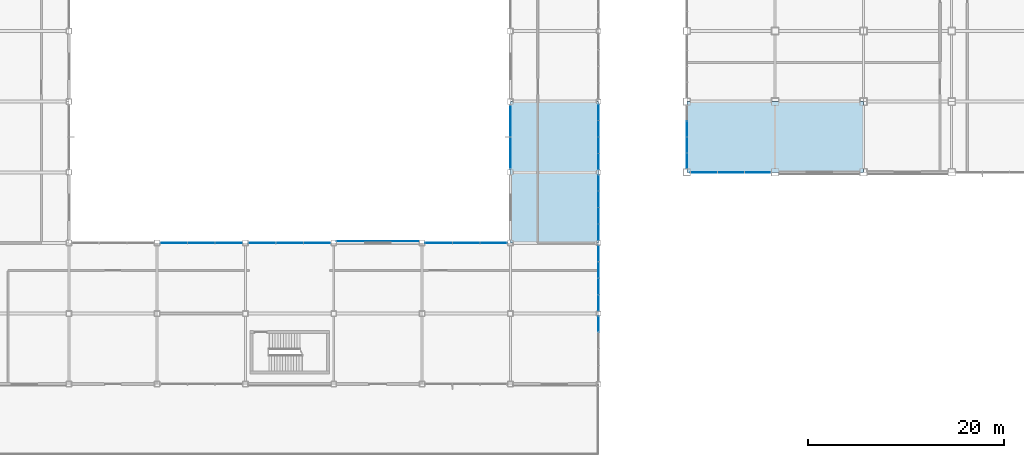
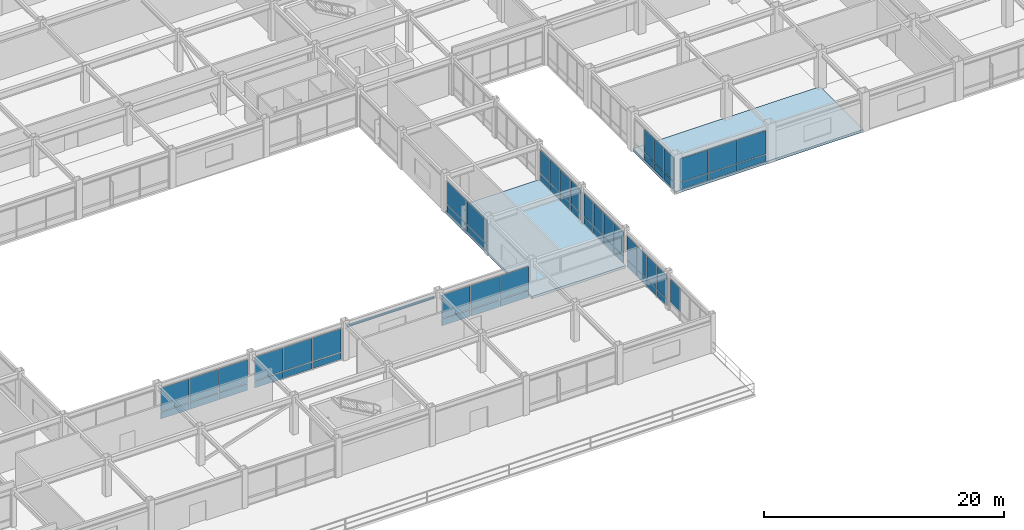
# One storey, part 92 of 122: 60 plates, 2 slabs, 10 elements without a shape of their own.
"""IFC4 building model written with IfcOpenShell, lengths in metres."""

import ifcopenshell
import ifcopenshell.guid

model = None  # the IFC model being written
_history = None  # IfcOwnerHistory: only IFC2X3 demands one
_inside = {}  # id of a spatial element -> (the spatial element, [elements in it])
_under = {}  # id of a project, library or spatial element -> (it, [spatial elements below it])
_declared = {}  # id of a project -> (the project, [libraries it declares])
_typed = {}  # id of a type object -> (the type object, [elements of that type])
_made_of = {}  # id of a material, layer set ... -> (it, [elements and type objects made of it])


def new_model(schema):
    """Start an empty IFC model of exactly this schema.

    Asked for "IFC4X3", IfcOpenShell would pick the latest addendum, in which some entities
    have other attributes; the version numbers below select the first issue.
    IFC2X3 requires an IfcOwnerHistory on every rooted entity: one is made here for all.
    """
    global model, _history
    if schema == "IFC4X3":
        model = ifcopenshell.file(schema_version=(4, 3, 0, 0))
    else:
        model = ifcopenshell.file(schema=schema)
    _inside.clear()
    _under.clear()
    _declared.clear()
    _typed.clear()
    _made_of.clear()
    _history = None
    if model.schema == "IFC2X3":
        org = make("IfcOrganization", Name="unknown")
        user = make(
            "IfcPersonAndOrganization",
            ThePerson=make("IfcPerson", FamilyName="unknown"),
            TheOrganization=org,
        )
        app = make(
            "IfcApplication",
            ApplicationDeveloper=org,
            Version="unknown",
            ApplicationFullName="unknown",
            ApplicationIdentifier="unknown",
        )
        _history = make(
            "IfcOwnerHistory",
            OwningUser=user,
            OwningApplication=app,
            ChangeAction="ADDED",
            CreationDate=0,
        )
    return model


def make(cls, **values):
    """One entity of the class cls with the attributes given. An attribute that is None is left unset."""
    return model.create_entity(
        cls, **{name: value for name, value in values.items() if value is not None}
    )


def rooted(cls, **values):
    """An entity with a GlobalId (a new one), such as an element, a storey or a relation."""
    return make(cls, GlobalId=ifcopenshell.guid.new(), OwnerHistory=_history, **values)


def si_unit(unit_type, name, prefix=None):
    """IfcSIUnit, for example si_unit("LENGTHUNIT", "METRE", prefix="MILLI")."""
    return make("IfcSIUnit", UnitType=unit_type, Prefix=prefix, Name=name)


def assignment(units):
    """IfcUnitAssignment: the units of a project."""
    return None if units is None else make("IfcUnitAssignment", Units=units)


def point(xyz):
    """IfcCartesianPoint."""
    return None if xyz is None else make("IfcCartesianPoint", Coordinates=xyz)


def direction(xyz):
    """IfcDirection."""
    return None if xyz is None else make("IfcDirection", DirectionRatios=xyz)


def frame(location, z_axis=None, x_axis=None):
    """IfcAxis2Placement3D, a coordinate frame: its origin and axes. An axis left out is left unset."""
    return make(
        "IfcAxis2Placement3D",
        Location=point(location),
        Axis=direction(z_axis),
        RefDirection=direction(x_axis),
    )


def frame_2d(location, x_axis=None):
    """IfcAxis2Placement2D, a coordinate frame in the plane: its origin and x axis."""
    return make(
        "IfcAxis2Placement2D", Location=point(location), RefDirection=direction(x_axis)
    )


def origin():
    """The frame at (0, 0, 0) with its axes left unset."""
    return frame((0.0, 0.0, 0.0))


def origin_2d():
    """The frame at (0, 0) in the plane with its x axis left unset."""
    return frame_2d((0.0, 0.0))


def place(relative_to, where):
    """IfcLocalPlacement: puts the frame where relative to a parent placement (None: the world)."""
    return make(
        "IfcLocalPlacement", PlacementRelTo=relative_to, RelativePlacement=where
    )


def context(
    kind, dimensions, precision=None, world=None, true_north=None, identifier=None
):
    """IfcGeometricRepresentationContext, for example the 3D "Model" context."""
    return make(
        "IfcGeometricRepresentationContext",
        ContextIdentifier=identifier,
        ContextType=kind,
        CoordinateSpaceDimension=dimensions,
        Precision=precision,
        WorldCoordinateSystem=world,
        TrueNorth=true_north,
    )


def subcontext(parent, identifier, kind, view, scale=None):
    """IfcGeometricRepresentationSubContext, for example "Body" below "Model"."""
    return make(
        "IfcGeometricRepresentationSubContext",
        ContextIdentifier=identifier,
        ContextType=kind,
        ParentContext=parent,
        TargetScale=scale,
        TargetView=view,
    )


def project(units=None, contexts=None):
    """IfcProject with its units and contexts."""
    return rooted(
        "IfcProject",
        Name="project",
        RepresentationContexts=contexts,
        UnitsInContext=assignment(units),
    )


def spatial(cls, under=None, at=None, **own):
    """A site, building, storey or space (cls), placed at a placement, below another one or the project."""
    s = rooted(cls, ObjectPlacement=at, **own)
    if under is not None:
        _under.setdefault(under.id(), (under, []))[1].append(s)
    return s


def polyline(points):
    """IfcPolyline through the points."""
    return make("IfcPolyline", Points=[point(p) for p in points])


def profile(cls, at=None, kind="AREA", **sizes):
    """A parametric profile (cls). Its sizes go by their IFC names, for example OverallWidth=200.0."""
    return make(cls, ProfileType=kind, Position=at, **sizes)


def rectangle(**sizes):
    """IfcRectangleProfileDef."""
    return profile("IfcRectangleProfileDef", **sizes)


def outline(outer, holes=None, kind="AREA"):
    """IfcArbitraryClosedProfileDef: a profile drawn as a closed curve; with holes, ...WithVoids."""
    if holes is None:
        return make("IfcArbitraryClosedProfileDef", ProfileType=kind, OuterCurve=outer)
    return make(
        "IfcArbitraryProfileDefWithVoids",
        ProfileType=kind,
        OuterCurve=outer,
        InnerCurves=holes,
    )


def extrude(swept, where, along, depth):
    """IfcExtrudedAreaSolid: the profile swept, set in the frame where, extruded along a direction by depth."""
    return make(
        "IfcExtrudedAreaSolid",
        SweptArea=swept,
        Position=where,
        ExtrudedDirection=direction(along),
        Depth=depth,
    )


def shape(context_of_items, identifier, shape_type, items):
    """IfcShapeRepresentation: the items that make up one representation, for example the "Body"."""
    return make(
        "IfcShapeRepresentation",
        ContextOfItems=context_of_items,
        RepresentationIdentifier=identifier,
        RepresentationType=shape_type,
        Items=items,
    )


def material(Name=None, Category=None):
    """IfcMaterial."""
    return make("IfcMaterial", Name=Name, Category=Category)


def layer(
    of_material, thickness, ventilated=None, Name=None, Category=None, Priority=None
):
    """IfcMaterialLayer: one layer of a wall or slab, of a material (None: an air gap)."""
    return make(
        "IfcMaterialLayer",
        Material=of_material,
        LayerThickness=thickness,
        IsVentilated=ventilated,
        Name=Name,
        Category=Category,
        Priority=Priority,
    )


def layer_set(layers, Name=None):
    """IfcMaterialLayerSet."""
    return make("IfcMaterialLayerSet", MaterialLayers=layers, LayerSetName=Name)


def made_of(thing, what):
    """Note that an element or type object is made of a material, layer set ...; save() writes the relation."""
    if what is not None:
        _made_of.setdefault(what.id(), (what, []))[1].append(thing)
    return thing


def type_object(cls, material=None, **own):
    """A type object (cls), such as IfcWallType, which elements share."""
    return made_of(rooted(cls, **own), material)


def element(
    cls,
    number,
    at=None,
    inside=None,
    cuts=None,
    type_object=None,
    material=None,
    context=None,
    identifier="Body",
    shape_type=None,
    held_by="IfcProductDefinitionShape",
    body=None,
    shapes=None,
    **own,
):
    """One element of the class cls, such as IfcWall. Its Tag is "e" and its number.

    at: its placement. inside: the storey or other place that contains it. cuts: it is an
    opening in that element (IfcRelVoidsElement). A single representation is given by context,
    identifier, shape_type and body (its items); several are given by shapes. held_by: the class
    of the entity that holds the representations. save() writes the other relations.
    """
    e = rooted(cls, Tag="e%d" % number, ObjectPlacement=at, **own)
    if body is not None:
        shapes = [shape(context, identifier, shape_type, body)]
    if shapes is not None:
        e.Representation = make(held_by, Representations=shapes)
    if inside is not None:
        _inside.setdefault(inside.id(), (inside, []))[1].append(e)
    if cuts is not None:
        rooted(
            "IfcRelVoidsElement", RelatingBuildingElement=cuts, RelatedOpeningElement=e
        )
    if type_object is not None:
        _typed.setdefault(type_object.id(), (type_object, []))[1].append(e)
    return made_of(e, material)


def aggregate(whole, parts):
    """IfcRelAggregates: a whole, such as a stair, and the parts it consists of."""
    return rooted("IfcRelAggregates", RelatingObject=whole, RelatedObjects=parts)


def save(model, path):
    """Write the relations noted so far, then the file.

    IfcRelAggregates (storeys below a building ...), IfcRelContainedInSpatialStructure (elements
    in a storey), IfcRelDefinesByType, IfcRelAssociatesMaterial and IfcRelDeclares: one each for
    every whole, place, type object, material and project.
    """
    for whole, parts in _under.values():
        aggregate(whole, parts)
    for where, things in _inside.values():
        rooted(
            "IfcRelContainedInSpatialStructure",
            RelatedElements=things,
            RelatingStructure=where,
        )
    for kind, things in _typed.values():
        rooted("IfcRelDefinesByType", RelatedObjects=things, RelatingType=kind)
    for what, things in _made_of.values():
        rooted("IfcRelAssociatesMaterial", RelatedObjects=things, RelatingMaterial=what)
    for by, libraries in _declared.values():
        rooted("IfcRelDeclares", RelatingContext=by, RelatedDefinitions=libraries)
    model.write(path)


model = new_model("IFC4")

# Units and contexts
model_context = context("Model", 3, precision=1e-05, world=origin(), true_north=direction((0.0, 1.0)))
body_context = subcontext(model_context, "Body", "Model", "MODEL_VIEW")
ifc_project = project(units=[si_unit("LENGTHUNIT", "METRE"), si_unit("AREAUNIT", "SQUARE_METRE"), si_unit("VOLUMEUNIT", "CUBIC_METRE"), si_unit("PLANEANGLEUNIT", "RADIAN"), si_unit("MASSUNIT", "GRAM", prefix="KILO")], contexts=[model_context])

# Site, building, storey
site_placement = place(None, origin())
site = spatial("IfcSite", under=ifc_project, at=site_placement, CompositionType="ELEMENT")
building_placement = place(site_placement, origin())
building = spatial("IfcBuilding", under=site, at=building_placement, Name="Kazanami Central Library", CompositionType="ELEMENT")
storey_placement = place(building_placement, frame((0.0, 0.0, 4.800048828125)))
storey = spatial("IfcBuildingStorey", under=building, at=storey_placement, Name="L02", CompositionType="ELEMENT", Elevation=4.800048828125)

# Curtain wall, plates
ifc_material_1 = material(Name="Acid-Etched Low-E Laminated Glass", Category="glass")
curtain_wall_type_1 = type_object("IfcCurtainWallType", Name="CW-8450x3255-M275", PredefinedType="USERDEFINED", material=ifc_material_1)
curtain_wall_1_placement = place(storey_placement, origin())
curtain_wall_1 = element("IfcCurtainWall", 1, at=curtain_wall_1_placement, inside=storey, type_object=curtain_wall_type_1, Name="Unitised Curtain Wall CW-13 L02 N-F-08", ObjectType="UNITISED CURTAIN WALL", PredefinedType="USERDEFINED")
ifc_layer_1 = layer(ifc_material_1, 0.035888671875, Name="Acid-Etched Low-E Laminated Glass")
ifc_layer_set_1 = layer_set([ifc_layer_1], Name="Acid-Etched Low-E Laminated Glass")
plate_type_1 = type_object("IfcPlateType", Name="PLT-CW-P1", PredefinedType="CURTAIN_PANEL", material=ifc_layer_set_1)
plate_1_placement = place(storey_placement, frame((79.299072265625, 36.0, 0.81494140625), z_axis=(0.0, 0.0, 1.0), x_axis=(-1.0, 0.0, 0.0)))
plate_1 = element("IfcPlate", 2, at=plate_1_placement, type_object=plate_type_1, Name="CW-13 panel 1.2", PredefinedType="CURTAIN_PANEL", context=body_context, shape_type="SweptSolid", body=[
    extrude(rectangle(XDim=2.711669921875, YDim=0.035888671875, at=origin_2d()), origin(), (0.0, 0.0, 1.0), 2.3701171875),
])
plate_2_placement = place(storey_placement, frame((76.5, 36.0, 0.81494140625), z_axis=(0.0, 0.0, 1.0), x_axis=(-1.0, 0.0, 0.0)))
plate_2 = element("IfcPlate", 3, at=plate_2_placement, type_object=plate_type_1, Name="CW-13 panel 2.2", PredefinedType="CURTAIN_PANEL", context=body_context, shape_type="SweptSolid", body=[
    extrude(rectangle(XDim=2.74658203125, YDim=0.035888671875, at=origin_2d()), origin(), (0.0, 0.0, 1.0), 2.3701171875),
])
plate_3_placement = place(storey_placement, frame((73.700927734375, 36.0, 0.81494140625), z_axis=(0.0, 0.0, 1.0), x_axis=(-1.0, 0.0, 0.0)))
plate_3 = element("IfcPlate", 4, at=plate_3_placement, type_object=plate_type_1, Name="CW-13 panel 3.2", PredefinedType="CURTAIN_PANEL", context=body_context, shape_type="SweptSolid", body=[
    extrude(rectangle(XDim=2.711669921875, YDim=0.035888671875, at=origin_2d()), origin(), (0.0, 0.0, 1.0), 2.3701171875),
])

curtain_wall_2_placement = place(storey_placement, origin())
curtain_wall_2 = element("IfcCurtainWall", 5, at=curtain_wall_2_placement, inside=storey, type_object=curtain_wall_type_1, Name="Unitised Curtain Wall CW-13 L02 N-F-10", ObjectType="UNITISED CURTAIN WALL", PredefinedType="USERDEFINED")
plate_4_placement = place(storey_placement, frame((97.299072265625, 36.0, 0.81494140625), z_axis=(0.0, 0.0, 1.0), x_axis=(-1.0, 0.0, 0.0)))
plate_4 = element("IfcPlate", 6, at=plate_4_placement, type_object=plate_type_1, Name="CW-13 panel 1.2", PredefinedType="CURTAIN_PANEL", context=body_context, shape_type="SweptSolid", body=[
    extrude(rectangle(XDim=2.711669921875, YDim=0.035888671875, at=origin_2d()), origin(), (0.0, 0.0, 1.0), 2.3701171875),
])
plate_5_placement = place(storey_placement, frame((94.5, 36.0, 0.81494140625), z_axis=(0.0, 0.0, 1.0), x_axis=(-1.0, 0.0, 0.0)))
plate_5 = element("IfcPlate", 7, at=plate_5_placement, type_object=plate_type_1, Name="CW-13 panel 2.2", PredefinedType="CURTAIN_PANEL", context=body_context, shape_type="SweptSolid", body=[
    extrude(rectangle(XDim=2.74658203125, YDim=0.035888671875, at=origin_2d()), origin(), (0.0, 0.0, 1.0), 2.3701171875),
])
plate_6_placement = place(storey_placement, frame((91.700927734375, 36.0, 0.81494140625), z_axis=(0.0, 0.0, 1.0), x_axis=(-1.0, 0.0, 0.0)))
plate_6 = element("IfcPlate", 8, at=plate_6_placement, type_object=plate_type_1, Name="CW-13 panel 3.2", PredefinedType="CURTAIN_PANEL", context=body_context, shape_type="SweptSolid", body=[
    extrude(rectangle(XDim=2.711669921875, YDim=0.035888671875, at=origin_2d()), origin(), (0.0, 0.0, 1.0), 2.3701171875),
])

curtain_wall_type_2 = type_object("IfcCurtainWallType", Name="CW-6650x3255-M275", PredefinedType="USERDEFINED", material=ifc_material_1)
curtain_wall_3_placement = place(storey_placement, origin())
curtain_wall_3 = element("IfcCurtainWall", 9, at=curtain_wall_3_placement, inside=storey, type_object=curtain_wall_type_2, Name="Unitised Curtain Wall CW-22 L02 W-12-06", ObjectType="UNITISED CURTAIN WALL", PredefinedType="USERDEFINED")
plate_7_placement = place(storey_placement, frame((99.0, 45.155029296875, 0.81494140625), z_axis=(0.0, 0.0, 1.0), x_axis=(0.0, 1.0, 0.0)))
plate_7 = element("IfcPlate", 10, at=plate_7_placement, type_object=plate_type_1, Name="CW-22 panel 1.2", PredefinedType="CURTAIN_PANEL", context=body_context, shape_type="SweptSolid", body=[
    extrude(rectangle(XDim=3.219970703125, YDim=0.035888671875, at=origin_2d()), origin(), (0.0, 0.0, 1.0), 2.3701171875),
])
plate_8_placement = place(storey_placement, frame((99.0, 48.445068359375, 0.81494140625), z_axis=(0.0, 0.0, 1.0), x_axis=(0.0, 1.0, 0.0)))
plate_8 = element("IfcPlate", 11, at=plate_8_placement, type_object=plate_type_1, Name="CW-22 panel 2.2", PredefinedType="CURTAIN_PANEL", context=body_context, shape_type="SweptSolid", body=[
    extrude(rectangle(XDim=3.219970703125, YDim=0.035888671875, at=origin_2d()), origin(), (0.0, 0.0, 1.0), 2.3701171875),
])

curtain_wall_4_placement = place(storey_placement, origin())
curtain_wall_4 = element("IfcCurtainWall", 12, at=curtain_wall_4_placement, inside=storey, type_object=curtain_wall_type_1, Name="Unitised Curtain Wall CW-13 L02 N-F-07", ObjectType="UNITISED CURTAIN WALL", PredefinedType="USERDEFINED")
ifc_layer_2 = layer(ifc_material_1, 0.0439453125, Name="Acid-Etched Low-E Laminated Glass")
ifc_layer_set_2 = layer_set([ifc_layer_2], Name="Acid-Etched Low-E Laminated Glass")
plate_type_2 = type_object("IfcPlateType", Name="PLT-CW-P2", PredefinedType="CURTAIN_PANEL", material=ifc_layer_set_2)
plate_9_placement = place(storey_placement, frame((70.299072265625, 36.0, 0.81494140625), z_axis=(0.0, 0.0, 1.0), x_axis=(-1.0, 0.0, 0.0)))
plate_9 = element("IfcPlate", 13, at=plate_9_placement, type_object=plate_type_2, Name="CW-13 panel 1.2", PredefinedType="CURTAIN_PANEL", context=body_context, shape_type="SweptSolid", body=[
    extrude(rectangle(XDim=2.711669921875, YDim=0.0439453125, at=origin_2d()), origin(), (0.0, 0.0, 1.0), 2.3701171875),
])
plate_10_placement = place(storey_placement, frame((67.5, 36.0, 0.81494140625), z_axis=(0.0, 0.0, 1.0), x_axis=(-1.0, 0.0, 0.0)))
plate_10 = element("IfcPlate", 14, at=plate_10_placement, type_object=plate_type_2, Name="CW-13 panel 2.2", PredefinedType="CURTAIN_PANEL", context=body_context, shape_type="SweptSolid", body=[
    extrude(rectangle(XDim=2.74658203125, YDim=0.0439453125, at=origin_2d()), origin(), (0.0, 0.0, 1.0), 2.3701171875),
])
plate_11_placement = place(storey_placement, frame((64.700927734375, 36.0, 0.81494140625), z_axis=(0.0, 0.0, 1.0), x_axis=(-1.0, 0.0, 0.0)))
plate_11 = element("IfcPlate", 15, at=plate_11_placement, type_object=plate_type_2, Name="CW-13 panel 3.2", PredefinedType="CURTAIN_PANEL", context=body_context, shape_type="SweptSolid", body=[
    extrude(rectangle(XDim=2.711669921875, YDim=0.0439453125, at=origin_2d()), origin(), (0.0, 0.0, 1.0), 2.3701171875),
])

curtain_wall_type_3 = type_object("IfcCurtainWallType", Name="CW-8275x3255-M275", PredefinedType="USERDEFINED", material=ifc_material_1)
curtain_wall_5_placement = place(storey_placement, origin())
curtain_wall_5 = element("IfcCurtainWall", 16, at=curtain_wall_5_placement, inside=storey, type_object=curtain_wall_type_3, Name="Unitised Curtain Wall CW-14 L02 S-G-13", ObjectType="UNITISED CURTAIN WALL", PredefinedType="USERDEFINED")
plate_12_placement = place(storey_placement, frame((118.745361328125, 43.199951171875, 0.8125), z_axis=(0.0, 0.0, 1.0), x_axis=(1.0, 0.0, 0.0)))
plate_12 = element("IfcPlate", 17, at=plate_12_placement, type_object=plate_type_2, Name="CW-14 panel 1.2", PredefinedType="CURTAIN_PANEL", context=body_context, shape_type="SweptSolid", body=[
    extrude(rectangle(XDim=2.660888671875, YDim=0.0439453125, at=origin_2d()), origin(), (0.0, 0.0, 1.0), 2.37744140625),
])
plate_13_placement = place(storey_placement, frame((121.487548828125, 43.199951171875, 0.8125), z_axis=(0.0, 0.0, 1.0), x_axis=(1.0, 0.0, 0.0)))
plate_13 = element("IfcPlate", 18, at=plate_13_placement, type_object=plate_type_2, Name="CW-14 panel 2.2", PredefinedType="CURTAIN_PANEL", context=body_context, shape_type="SweptSolid", body=[
    extrude(rectangle(XDim=2.693359375, YDim=0.0439453125, at=origin_2d()), origin(), (0.0, 0.0, 1.0), 2.37744140625),
])
plate_14_placement = place(storey_placement, frame((124.2294921875, 43.199951171875, 0.8125), z_axis=(0.0, 0.0, 1.0), x_axis=(1.0, 0.0, 0.0)))
plate_14 = element("IfcPlate", 19, at=plate_14_placement, type_object=plate_type_2, Name="CW-14 panel 3.2", PredefinedType="CURTAIN_PANEL", context=body_context, shape_type="SweptSolid", body=[
    extrude(rectangle(XDim=2.660888671875, YDim=0.0439453125, at=origin_2d()), origin(), (0.0, 0.0, 1.0), 2.37744140625),
])

# Curtain wall, plate
curtain_wall_type_4 = type_object("IfcCurtainWallType", Name="CW-6750x3255-M180", PredefinedType="USERDEFINED", material=ifc_material_1)
curtain_wall_6_placement = place(storey_placement, origin())
curtain_wall_6 = element("IfcCurtainWall", 20, at=curtain_wall_6_placement, inside=storey, type_object=curtain_wall_type_4, Name="Covered Link Bridge Curtain Wall CW-21 L02 E-13-03", ObjectType="UNITISED CURTAIN WALL", PredefinedType="USERDEFINED")
ifc_material_2 = material(Name="Low-E Insulated Triple Glass", Category="glass")
ifc_layer_3 = layer(ifc_material_2, 0.0400390625, Name="Low-E Insulated Triple Glass")
ifc_layer_set_3 = layer_set([ifc_layer_3], Name="Low-E Insulated Triple Glass")
plate_type_3 = type_object("IfcPlateType", Name="PLT-CW-P3", PredefinedType="CURTAIN_PANEL", material=ifc_layer_set_3)
plate_15_placement = place(storey_placement, frame((108.0, 27.7138671875, 0.81494140625), z_axis=(0.0, 0.0, 1.0), x_axis=(0.0, -1.0, 0.0)))
plate_15 = element("IfcPlate", 21, at=plate_15_placement, type_object=plate_type_3, Name="CW-21 panel 1.2", PredefinedType="CURTAIN_PANEL", context=body_context, shape_type="SweptSolid", body=[
    extrude(rectangle(XDim=1.58251953125, YDim=0.0400390625, at=origin_2d()), origin(), (0.0, 0.0, 1.0), 2.3701171875),
])
aggregate(curtain_wall_6, [plate_15])

# Curtain wall, plates
curtain_wall_7_placement = place(storey_placement, origin())
curtain_wall_7 = element("IfcCurtainWall", 22, at=curtain_wall_7_placement, inside=storey, type_object=curtain_wall_type_4, Name="Covered Link Bridge Curtain Wall CW-21 L02 E-13-04", ObjectType="UNITISED CURTAIN WALL", PredefinedType="USERDEFINED")
plate_16_placement = place(storey_placement, frame((108.0, 34.913818359375, 0.81494140625), z_axis=(0.0, 0.0, 1.0), x_axis=(0.0, -1.0, 0.0)))
plate_16 = element("IfcPlate", 23, at=plate_16_placement, type_object=plate_type_3, Name="CW-21 panel 1.2", PredefinedType="CURTAIN_PANEL", context=body_context, shape_type="SweptSolid", body=[
    extrude(rectangle(XDim=1.58251953125, YDim=0.0400390625, at=origin_2d()), origin(), (0.0, 0.0, 1.0), 2.3701171875),
])
plate_17_placement = place(storey_placement, frame((108.0, 33.24365234375, 0.81494140625), z_axis=(0.0, 0.0, 1.0), x_axis=(0.0, -1.0, 0.0)))
plate_17 = element("IfcPlate", 24, at=plate_17_placement, type_object=plate_type_3, Name="CW-21 panel 2.2", PredefinedType="CURTAIN_PANEL", context=body_context, shape_type="SweptSolid", body=[
    extrude(rectangle(XDim=1.617431640625, YDim=0.0400390625, at=origin_2d()), origin(), (0.0, 0.0, 1.0), 2.3701171875),
])
plate_18_placement = place(storey_placement, frame((108.0, 31.55615234375, 0.81494140625), z_axis=(0.0, 0.0, 1.0), x_axis=(0.0, -1.0, 0.0)))
plate_18 = element("IfcPlate", 25, at=plate_18_placement, type_object=plate_type_3, Name="CW-21 panel 3.2", PredefinedType="CURTAIN_PANEL", context=body_context, shape_type="SweptSolid", body=[
    extrude(rectangle(XDim=1.617431640625, YDim=0.0400390625, at=origin_2d()), origin(), (0.0, 0.0, 1.0), 2.3701171875),
])
plate_19_placement = place(storey_placement, frame((108.0, 29.88623046875, 0.81494140625), z_axis=(0.0, 0.0, 1.0), x_axis=(0.0, -1.0, 0.0)))
plate_19 = element("IfcPlate", 26, at=plate_19_placement, type_object=plate_type_3, Name="CW-21 panel 4.2", PredefinedType="CURTAIN_PANEL", context=body_context, shape_type="SweptSolid", body=[
    extrude(rectangle(XDim=1.58251953125, YDim=0.0400390625, at=origin_2d()), origin(), (0.0, 0.0, 1.0), 2.3701171875),
])

curtain_wall_8_placement = place(storey_placement, origin())
curtain_wall_8 = element("IfcCurtainWall", 27, at=curtain_wall_8_placement, inside=storey, type_object=curtain_wall_type_4, Name="Covered Link Bridge Curtain Wall CW-21 L02 E-13-05", ObjectType="UNITISED CURTAIN WALL", PredefinedType="USERDEFINED")
plate_20_placement = place(storey_placement, frame((108.0, 42.11376953125, 0.81494140625), z_axis=(0.0, 0.0, 1.0), x_axis=(0.0, -1.0, 0.0)))
plate_20 = element("IfcPlate", 28, at=plate_20_placement, type_object=plate_type_3, Name="CW-21 panel 1.2", PredefinedType="CURTAIN_PANEL", context=body_context, shape_type="SweptSolid", body=[
    extrude(rectangle(XDim=1.58251953125, YDim=0.0400390625, at=origin_2d()), origin(), (0.0, 0.0, 1.0), 2.3701171875),
])
plate_21_placement = place(storey_placement, frame((108.0, 40.44384765625, 0.81494140625), z_axis=(0.0, 0.0, 1.0), x_axis=(0.0, -1.0, 0.0)))
plate_21 = element("IfcPlate", 29, at=plate_21_placement, type_object=plate_type_3, Name="CW-21 panel 2.2", PredefinedType="CURTAIN_PANEL", context=body_context, shape_type="SweptSolid", body=[
    extrude(rectangle(XDim=1.617431640625, YDim=0.0400390625, at=origin_2d()), origin(), (0.0, 0.0, 1.0), 2.3701171875),
])
plate_22_placement = place(storey_placement, frame((108.0, 38.75634765625, 0.81494140625), z_axis=(0.0, 0.0, 1.0), x_axis=(0.0, -1.0, 0.0)))
plate_22 = element("IfcPlate", 30, at=plate_22_placement, type_object=plate_type_3, Name="CW-21 panel 3.2", PredefinedType="CURTAIN_PANEL", context=body_context, shape_type="SweptSolid", body=[
    extrude(rectangle(XDim=1.617431640625, YDim=0.0400390625, at=origin_2d()), origin(), (0.0, 0.0, 1.0), 2.3701171875),
])
plate_23_placement = place(storey_placement, frame((108.0, 37.086181640625, 0.81494140625), z_axis=(0.0, 0.0, 1.0), x_axis=(0.0, -1.0, 0.0)))
plate_23 = element("IfcPlate", 31, at=plate_23_placement, type_object=plate_type_3, Name="CW-21 panel 4.2", PredefinedType="CURTAIN_PANEL", context=body_context, shape_type="SweptSolid", body=[
    extrude(rectangle(XDim=1.58251953125, YDim=0.0400390625, at=origin_2d()), origin(), (0.0, 0.0, 1.0), 2.3701171875),
])

curtain_wall_9_placement = place(storey_placement, origin())
curtain_wall_9 = element("IfcCurtainWall", 32, at=curtain_wall_9_placement, inside=storey, type_object=curtain_wall_type_4, Name="Covered Link Bridge Curtain Wall CW-21 L02 E-13-06", ObjectType="UNITISED CURTAIN WALL", PredefinedType="USERDEFINED")
plate_24_placement = place(storey_placement, frame((108.0, 49.313720703125, 0.81494140625), z_axis=(0.0, 0.0, 1.0), x_axis=(0.0, -1.0, 0.0)))
plate_24 = element("IfcPlate", 33, at=plate_24_placement, type_object=plate_type_3, Name="CW-21 panel 1.2", PredefinedType="CURTAIN_PANEL", context=body_context, shape_type="SweptSolid", body=[
    extrude(rectangle(XDim=1.58251953125, YDim=0.0400390625, at=origin_2d()), origin(), (0.0, 0.0, 1.0), 2.3701171875),
])
plate_25_placement = place(storey_placement, frame((108.0, 47.643798828125, 0.81494140625), z_axis=(0.0, 0.0, 1.0), x_axis=(0.0, -1.0, 0.0)))
plate_25 = element("IfcPlate", 34, at=plate_25_placement, type_object=plate_type_3, Name="CW-21 panel 2.2", PredefinedType="CURTAIN_PANEL", context=body_context, shape_type="SweptSolid", body=[
    extrude(rectangle(XDim=1.617431640625, YDim=0.0400390625, at=origin_2d()), origin(), (0.0, 0.0, 1.0), 2.3701171875),
])
plate_26_placement = place(storey_placement, frame((108.0, 45.956298828125, 0.81494140625), z_axis=(0.0, 0.0, 1.0), x_axis=(0.0, -1.0, 0.0)))
plate_26 = element("IfcPlate", 35, at=plate_26_placement, type_object=plate_type_3, Name="CW-21 panel 3.2", PredefinedType="CURTAIN_PANEL", context=body_context, shape_type="SweptSolid", body=[
    extrude(rectangle(XDim=1.617431640625, YDim=0.0400390625, at=origin_2d()), origin(), (0.0, 0.0, 1.0), 2.3701171875),
])
plate_27_placement = place(storey_placement, frame((108.0, 44.2861328125, 0.81494140625), z_axis=(0.0, 0.0, 1.0), x_axis=(0.0, -1.0, 0.0)))
plate_27 = element("IfcPlate", 36, at=plate_27_placement, type_object=plate_type_3, Name="CW-21 panel 4.2", PredefinedType="CURTAIN_PANEL", context=body_context, shape_type="SweptSolid", body=[
    extrude(rectangle(XDim=1.58251953125, YDim=0.0400390625, at=origin_2d()), origin(), (0.0, 0.0, 1.0), 2.3701171875),
])

curtain_wall_type_5 = type_object("IfcCurtainWallType", Name="CW-6500x3255-M180", PredefinedType="USERDEFINED", material=ifc_material_1)
curtain_wall_10_placement = place(storey_placement, origin())
curtain_wall_10 = element("IfcCurtainWall", 37, at=curtain_wall_10_placement, inside=storey, type_object=curtain_wall_type_5, Name="Covered Link Bridge Curtain Wall CW-23 L02 W-14-06", ObjectType="UNITISED CURTAIN WALL", PredefinedType="USERDEFINED")
plate_28_placement = place(storey_placement, frame((117.0, 44.37744140625, 0.81005859375), z_axis=(0.0, 0.0, 1.0), x_axis=(0.0, 1.0, 0.0)))
plate_28 = element("IfcPlate", 38, at=plate_28_placement, type_object=plate_type_3, Name="CW-23 panel 1.2", PredefinedType="CURTAIN_PANEL", context=body_context, shape_type="SweptSolid", body=[
    extrude(rectangle(XDim=1.534912109375, YDim=0.0400390625, at=origin_2d()), origin(), (0.0, 0.0, 1.0), 2.385009765625),
])
plate_29_placement = place(storey_placement, frame((117.0, 45.987548828125, 0.81005859375), z_axis=(0.0, 0.0, 1.0), x_axis=(0.0, 1.0, 0.0)))
plate_29 = element("IfcPlate", 39, at=plate_29_placement, type_object=plate_type_3, Name="CW-23 panel 2.2", PredefinedType="CURTAIN_PANEL", context=body_context, shape_type="SweptSolid", body=[
    extrude(rectangle(XDim=1.56494140625, YDim=0.0400390625, at=origin_2d()), origin(), (0.0, 0.0, 1.0), 2.385009765625),
])
plate_30_placement = place(storey_placement, frame((117.0, 47.612548828125, 0.81005859375), z_axis=(0.0, 0.0, 1.0), x_axis=(0.0, 1.0, 0.0)))
plate_30 = element("IfcPlate", 40, at=plate_30_placement, type_object=plate_type_3, Name="CW-23 panel 3.2", PredefinedType="CURTAIN_PANEL", context=body_context, shape_type="SweptSolid", body=[
    extrude(rectangle(XDim=1.56494140625, YDim=0.0400390625, at=origin_2d()), origin(), (0.0, 0.0, 1.0), 2.385009765625),
])

# Plate
ifc_material_3 = material(Name="Anodised Aluminium A5052-H32", Category="aluminium")
ifc_layer_4 = layer(ifc_material_3, 0.06005859375, Name="Anodised Aluminium A5052-H32")
ifc_layer_set_4 = layer_set([ifc_layer_4], Name="Anodised Aluminium A5052-H32")
plate_type_4 = type_object("IfcPlateType", Name="PLT-CW-SP1", PredefinedType="CURTAIN_PANEL", material=ifc_layer_set_4)
plate_31_placement = place(storey_placement, frame((70.299072265625, 36.0, 0.06982421875), z_axis=(0.0, 0.0, 1.0), x_axis=(-1.0, 0.0, 0.0)))
plate_31 = element("IfcPlate", 41, at=plate_31_placement, type_object=plate_type_4, Name="CW-13 panel 1.1", PredefinedType="CURTAIN_PANEL", context=body_context, shape_type="SweptSolid", body=[
    extrude(rectangle(XDim=2.711669921875, YDim=0.06005859375, at=origin_2d()), origin(), (0.0, 0.0, 1.0), 0.675048828125),
])

plate_32_placement = place(storey_placement, frame((67.5, 36.0, 0.06982421875), z_axis=(0.0, 0.0, 1.0), x_axis=(-1.0, 0.0, 0.0)))
plate_32 = element("IfcPlate", 42, at=plate_32_placement, type_object=plate_type_4, Name="CW-13 panel 2.1", PredefinedType="CURTAIN_PANEL", context=body_context, shape_type="SweptSolid", body=[
    extrude(rectangle(XDim=2.74658203125, YDim=0.06005859375, at=origin_2d()), origin(), (0.0, 0.0, 1.0), 0.675048828125),
])

plate_33_placement = place(storey_placement, frame((64.700927734375, 36.0, 0.06982421875), z_axis=(0.0, 0.0, 1.0), x_axis=(-1.0, 0.0, 0.0)))
plate_33 = element("IfcPlate", 43, at=plate_33_placement, type_object=plate_type_4, Name="CW-13 panel 3.1", PredefinedType="CURTAIN_PANEL", context=body_context, shape_type="SweptSolid", body=[
    extrude(rectangle(XDim=2.711669921875, YDim=0.06005859375, at=origin_2d()), origin(), (0.0, 0.0, 1.0), 0.675048828125),
])

aggregate(curtain_wall_4, [plate_31, plate_9, plate_32, plate_10, plate_33, plate_11])

plate_34_placement = place(storey_placement, frame((79.299072265625, 36.0, 0.06982421875), z_axis=(0.0, 0.0, 1.0), x_axis=(-1.0, 0.0, 0.0)))
plate_34 = element("IfcPlate", 44, at=plate_34_placement, type_object=plate_type_4, Name="CW-13 panel 1.1", PredefinedType="CURTAIN_PANEL", context=body_context, shape_type="SweptSolid", body=[
    extrude(rectangle(XDim=2.711669921875, YDim=0.06005859375, at=origin_2d()), origin(), (0.0, 0.0, 1.0), 0.675048828125),
])

plate_35_placement = place(storey_placement, frame((76.5, 36.0, 0.06982421875), z_axis=(0.0, 0.0, 1.0), x_axis=(-1.0, 0.0, 0.0)))
plate_35 = element("IfcPlate", 45, at=plate_35_placement, type_object=plate_type_4, Name="CW-13 panel 2.1", PredefinedType="CURTAIN_PANEL", context=body_context, shape_type="SweptSolid", body=[
    extrude(rectangle(XDim=2.74658203125, YDim=0.06005859375, at=origin_2d()), origin(), (0.0, 0.0, 1.0), 0.675048828125),
])

plate_36_placement = place(storey_placement, frame((73.700927734375, 36.0, 0.06982421875), z_axis=(0.0, 0.0, 1.0), x_axis=(-1.0, 0.0, 0.0)))
plate_36 = element("IfcPlate", 46, at=plate_36_placement, type_object=plate_type_4, Name="CW-13 panel 3.1", PredefinedType="CURTAIN_PANEL", context=body_context, shape_type="SweptSolid", body=[
    extrude(rectangle(XDim=2.711669921875, YDim=0.06005859375, at=origin_2d()), origin(), (0.0, 0.0, 1.0), 0.675048828125),
])

aggregate(curtain_wall_1, [plate_34, plate_1, plate_35, plate_2, plate_36, plate_3])

plate_37_placement = place(storey_placement, frame((97.299072265625, 36.0, 0.06982421875), z_axis=(0.0, 0.0, 1.0), x_axis=(-1.0, 0.0, 0.0)))
plate_37 = element("IfcPlate", 47, at=plate_37_placement, type_object=plate_type_4, Name="CW-13 panel 1.1", PredefinedType="CURTAIN_PANEL", context=body_context, shape_type="SweptSolid", body=[
    extrude(rectangle(XDim=2.711669921875, YDim=0.06005859375, at=origin_2d()), origin(), (0.0, 0.0, 1.0), 0.675048828125),
])

plate_38_placement = place(storey_placement, frame((94.5, 36.0, 0.06982421875), z_axis=(0.0, 0.0, 1.0), x_axis=(-1.0, 0.0, 0.0)))
plate_38 = element("IfcPlate", 48, at=plate_38_placement, type_object=plate_type_4, Name="CW-13 panel 2.1", PredefinedType="CURTAIN_PANEL", context=body_context, shape_type="SweptSolid", body=[
    extrude(rectangle(XDim=2.74658203125, YDim=0.06005859375, at=origin_2d()), origin(), (0.0, 0.0, 1.0), 0.675048828125),
])

plate_39_placement = place(storey_placement, frame((91.700927734375, 36.0, 0.06982421875), z_axis=(0.0, 0.0, 1.0), x_axis=(-1.0, 0.0, 0.0)))
plate_39 = element("IfcPlate", 49, at=plate_39_placement, type_object=plate_type_4, Name="CW-13 panel 3.1", PredefinedType="CURTAIN_PANEL", context=body_context, shape_type="SweptSolid", body=[
    extrude(rectangle(XDim=2.711669921875, YDim=0.06005859375, at=origin_2d()), origin(), (0.0, 0.0, 1.0), 0.675048828125),
])

aggregate(curtain_wall_2, [plate_37, plate_4, plate_38, plate_5, plate_39, plate_6])

plate_40_placement = place(storey_placement, frame((99.0, 45.155029296875, 0.06982421875), z_axis=(0.0, 0.0, 1.0), x_axis=(0.0, 1.0, 0.0)))
plate_40 = element("IfcPlate", 50, at=plate_40_placement, type_object=plate_type_4, Name="CW-22 panel 1.1", PredefinedType="CURTAIN_PANEL", context=body_context, shape_type="SweptSolid", body=[
    extrude(rectangle(XDim=3.219970703125, YDim=0.06005859375, at=origin_2d()), origin(), (0.0, 0.0, 1.0), 0.675048828125),
])

plate_41_placement = place(storey_placement, frame((99.0, 48.445068359375, 0.06982421875), z_axis=(0.0, 0.0, 1.0), x_axis=(0.0, 1.0, 0.0)))
plate_41 = element("IfcPlate", 51, at=plate_41_placement, type_object=plate_type_4, Name="CW-22 panel 2.1", PredefinedType="CURTAIN_PANEL", context=body_context, shape_type="SweptSolid", body=[
    extrude(rectangle(XDim=3.219970703125, YDim=0.06005859375, at=origin_2d()), origin(), (0.0, 0.0, 1.0), 0.675048828125),
])

aggregate(curtain_wall_3, [plate_40, plate_7, plate_41, plate_8])

plate_42_placement = place(storey_placement, frame((108.0, 34.913818359375, 0.06982421875), z_axis=(0.0, 0.0, 1.0), x_axis=(0.0, -1.0, 0.0)))
plate_42 = element("IfcPlate", 52, at=plate_42_placement, type_object=plate_type_4, Name="CW-21 panel 1.1", PredefinedType="CURTAIN_PANEL", context=body_context, shape_type="SweptSolid", body=[
    extrude(rectangle(XDim=1.58251953125, YDim=0.06005859375, at=origin_2d()), origin(), (0.0, 0.0, 1.0), 0.675048828125),
])

plate_43_placement = place(storey_placement, frame((108.0, 33.24365234375, 0.06982421875), z_axis=(0.0, 0.0, 1.0), x_axis=(0.0, -1.0, 0.0)))
plate_43 = element("IfcPlate", 53, at=plate_43_placement, type_object=plate_type_4, Name="CW-21 panel 2.1", PredefinedType="CURTAIN_PANEL", context=body_context, shape_type="SweptSolid", body=[
    extrude(rectangle(XDim=1.617431640625, YDim=0.06005859375, at=origin_2d()), origin(), (0.0, 0.0, 1.0), 0.675048828125),
])

plate_44_placement = place(storey_placement, frame((108.0, 31.55615234375, 0.06982421875), z_axis=(0.0, 0.0, 1.0), x_axis=(0.0, -1.0, 0.0)))
plate_44 = element("IfcPlate", 54, at=plate_44_placement, type_object=plate_type_4, Name="CW-21 panel 3.1", PredefinedType="CURTAIN_PANEL", context=body_context, shape_type="SweptSolid", body=[
    extrude(rectangle(XDim=1.617431640625, YDim=0.06005859375, at=origin_2d()), origin(), (0.0, 0.0, 1.0), 0.675048828125),
])

plate_45_placement = place(storey_placement, frame((108.0, 29.88623046875, 0.06982421875), z_axis=(0.0, 0.0, 1.0), x_axis=(0.0, -1.0, 0.0)))
plate_45 = element("IfcPlate", 55, at=plate_45_placement, type_object=plate_type_4, Name="CW-21 panel 4.1", PredefinedType="CURTAIN_PANEL", context=body_context, shape_type="SweptSolid", body=[
    extrude(rectangle(XDim=1.58251953125, YDim=0.06005859375, at=origin_2d()), origin(), (0.0, 0.0, 1.0), 0.675048828125),
])

aggregate(curtain_wall_7, [plate_42, plate_16, plate_43, plate_17, plate_44, plate_18, plate_45, plate_19])

plate_46_placement = place(storey_placement, frame((108.0, 42.11376953125, 0.06982421875), z_axis=(0.0, 0.0, 1.0), x_axis=(0.0, -1.0, 0.0)))
plate_46 = element("IfcPlate", 56, at=plate_46_placement, type_object=plate_type_4, Name="CW-21 panel 1.1", PredefinedType="CURTAIN_PANEL", context=body_context, shape_type="SweptSolid", body=[
    extrude(rectangle(XDim=1.58251953125, YDim=0.06005859375, at=origin_2d()), origin(), (0.0, 0.0, 1.0), 0.675048828125),
])

plate_47_placement = place(storey_placement, frame((108.0, 40.44384765625, 0.06982421875), z_axis=(0.0, 0.0, 1.0), x_axis=(0.0, -1.0, 0.0)))
plate_47 = element("IfcPlate", 57, at=plate_47_placement, type_object=plate_type_4, Name="CW-21 panel 2.1", PredefinedType="CURTAIN_PANEL", context=body_context, shape_type="SweptSolid", body=[
    extrude(rectangle(XDim=1.617431640625, YDim=0.06005859375, at=origin_2d()), origin(), (0.0, 0.0, 1.0), 0.675048828125),
])

plate_48_placement = place(storey_placement, frame((108.0, 38.75634765625, 0.06982421875), z_axis=(0.0, 0.0, 1.0), x_axis=(0.0, -1.0, 0.0)))
plate_48 = element("IfcPlate", 58, at=plate_48_placement, type_object=plate_type_4, Name="CW-21 panel 3.1", PredefinedType="CURTAIN_PANEL", context=body_context, shape_type="SweptSolid", body=[
    extrude(rectangle(XDim=1.617431640625, YDim=0.06005859375, at=origin_2d()), origin(), (0.0, 0.0, 1.0), 0.675048828125),
])

plate_49_placement = place(storey_placement, frame((108.0, 37.086181640625, 0.06982421875), z_axis=(0.0, 0.0, 1.0), x_axis=(0.0, -1.0, 0.0)))
plate_49 = element("IfcPlate", 59, at=plate_49_placement, type_object=plate_type_4, Name="CW-21 panel 4.1", PredefinedType="CURTAIN_PANEL", context=body_context, shape_type="SweptSolid", body=[
    extrude(rectangle(XDim=1.58251953125, YDim=0.06005859375, at=origin_2d()), origin(), (0.0, 0.0, 1.0), 0.675048828125),
])

aggregate(curtain_wall_8, [plate_46, plate_20, plate_47, plate_21, plate_48, plate_22, plate_49, plate_23])

plate_50_placement = place(storey_placement, frame((108.0, 49.313720703125, 0.06982421875), z_axis=(0.0, 0.0, 1.0), x_axis=(0.0, -1.0, 0.0)))
plate_50 = element("IfcPlate", 60, at=plate_50_placement, type_object=plate_type_4, Name="CW-21 panel 1.1", PredefinedType="CURTAIN_PANEL", context=body_context, shape_type="SweptSolid", body=[
    extrude(rectangle(XDim=1.58251953125, YDim=0.06005859375, at=origin_2d()), origin(), (0.0, 0.0, 1.0), 0.675048828125),
])

plate_51_placement = place(storey_placement, frame((108.0, 47.643798828125, 0.06982421875), z_axis=(0.0, 0.0, 1.0), x_axis=(0.0, -1.0, 0.0)))
plate_51 = element("IfcPlate", 61, at=plate_51_placement, type_object=plate_type_4, Name="CW-21 panel 2.1", PredefinedType="CURTAIN_PANEL", context=body_context, shape_type="SweptSolid", body=[
    extrude(rectangle(XDim=1.617431640625, YDim=0.06005859375, at=origin_2d()), origin(), (0.0, 0.0, 1.0), 0.675048828125),
])

plate_52_placement = place(storey_placement, frame((108.0, 45.956298828125, 0.06982421875), z_axis=(0.0, 0.0, 1.0), x_axis=(0.0, -1.0, 0.0)))
plate_52 = element("IfcPlate", 62, at=plate_52_placement, type_object=plate_type_4, Name="CW-21 panel 3.1", PredefinedType="CURTAIN_PANEL", context=body_context, shape_type="SweptSolid", body=[
    extrude(rectangle(XDim=1.617431640625, YDim=0.06005859375, at=origin_2d()), origin(), (0.0, 0.0, 1.0), 0.675048828125),
])

plate_53_placement = place(storey_placement, frame((108.0, 44.2861328125, 0.06982421875), z_axis=(0.0, 0.0, 1.0), x_axis=(0.0, -1.0, 0.0)))
plate_53 = element("IfcPlate", 63, at=plate_53_placement, type_object=plate_type_4, Name="CW-21 panel 4.1", PredefinedType="CURTAIN_PANEL", context=body_context, shape_type="SweptSolid", body=[
    extrude(rectangle(XDim=1.58251953125, YDim=0.06005859375, at=origin_2d()), origin(), (0.0, 0.0, 1.0), 0.675048828125),
])

aggregate(curtain_wall_9, [plate_50, plate_24, plate_51, plate_25, plate_52, plate_26, plate_53, plate_27])

ifc_layer_5 = layer(ifc_material_3, 0.052001953125, Name="Anodised Aluminium A5052-H32")
ifc_layer_set_5 = layer_set([ifc_layer_5], Name="Anodised Aluminium A5052-H32")
plate_type_5 = type_object("IfcPlateType", Name="PLT-CW-SP2", PredefinedType="CURTAIN_PANEL", material=ifc_layer_set_5)
plate_54_placement = place(storey_placement, frame((118.745361328125, 43.199951171875, 0.06494140625), z_axis=(0.0, 0.0, 1.0), x_axis=(1.0, 0.0, 0.0)))
plate_54 = element("IfcPlate", 64, at=plate_54_placement, type_object=plate_type_5, Name="CW-14 panel 1.1", PredefinedType="CURTAIN_PANEL", context=body_context, shape_type="SweptSolid", body=[
    extrude(rectangle(XDim=2.660888671875, YDim=0.052001953125, at=origin_2d()), origin(), (0.0, 0.0, 1.0), 0.6826171875),
])

plate_55_placement = place(storey_placement, frame((121.487548828125, 43.199951171875, 0.06494140625), z_axis=(0.0, 0.0, 1.0), x_axis=(1.0, 0.0, 0.0)))
plate_55 = element("IfcPlate", 65, at=plate_55_placement, type_object=plate_type_5, Name="CW-14 panel 2.1", PredefinedType="CURTAIN_PANEL", context=body_context, shape_type="SweptSolid", body=[
    extrude(rectangle(XDim=2.693359375, YDim=0.052001953125, at=origin_2d()), origin(), (0.0, 0.0, 1.0), 0.6826171875),
])

plate_56_placement = place(storey_placement, frame((124.2294921875, 43.199951171875, 0.06494140625), z_axis=(0.0, 0.0, 1.0), x_axis=(1.0, 0.0, 0.0)))
plate_56 = element("IfcPlate", 66, at=plate_56_placement, type_object=plate_type_5, Name="CW-14 panel 3.1", PredefinedType="CURTAIN_PANEL", context=body_context, shape_type="SweptSolid", body=[
    extrude(rectangle(XDim=2.660888671875, YDim=0.052001953125, at=origin_2d()), origin(), (0.0, 0.0, 1.0), 0.6826171875),
])

aggregate(curtain_wall_5, [plate_54, plate_12, plate_55, plate_13, plate_56, plate_14])

plate_57_placement = place(storey_placement, frame((117.0, 44.37744140625, 0.06005859375), z_axis=(0.0, 0.0, 1.0), x_axis=(0.0, 1.0, 0.0)))
plate_57 = element("IfcPlate", 67, at=plate_57_placement, type_object=plate_type_5, Name="CW-23 panel 1.1", PredefinedType="CURTAIN_PANEL", context=body_context, shape_type="SweptSolid", body=[
    extrude(rectangle(XDim=1.534912109375, YDim=0.052001953125, at=origin_2d()), origin(), (0.0, 0.0, 1.0), 0.68994140625),
])

plate_58_placement = place(storey_placement, frame((117.0, 45.987548828125, 0.06005859375), z_axis=(0.0, 0.0, 1.0), x_axis=(0.0, 1.0, 0.0)))
plate_58 = element("IfcPlate", 68, at=plate_58_placement, type_object=plate_type_5, Name="CW-23 panel 2.1", PredefinedType="CURTAIN_PANEL", context=body_context, shape_type="SweptSolid", body=[
    extrude(rectangle(XDim=1.56494140625, YDim=0.052001953125, at=origin_2d()), origin(), (0.0, 0.0, 1.0), 0.68994140625),
])

plate_59_placement = place(storey_placement, frame((117.0, 47.612548828125, 0.06005859375), z_axis=(0.0, 0.0, 1.0), x_axis=(0.0, 1.0, 0.0)))
plate_59 = element("IfcPlate", 69, at=plate_59_placement, type_object=plate_type_5, Name="CW-23 panel 3.1", PredefinedType="CURTAIN_PANEL", context=body_context, shape_type="SweptSolid", body=[
    extrude(rectangle(XDim=1.56494140625, YDim=0.052001953125, at=origin_2d()), origin(), (0.0, 0.0, 1.0), 0.68994140625),
])

aggregate(curtain_wall_10, [plate_57, plate_28, plate_58, plate_29, plate_59, plate_30])

ifc_layer_6 = layer(ifc_material_3, 0.02001953125, Name="Anodised Aluminium A5052-H32")
ifc_layer_set_6 = layer_set([ifc_layer_6], Name="Anodised Aluminium A5052-H32")
plate_type_6 = type_object("IfcPlateType", Name="PLT-SPN-20", PredefinedType="SHEET", material=ifc_layer_set_6)
plate_60_placement = place(storey_placement, frame((85.5, 36.169921875, 2.94482421875), z_axis=(0.0, 0.0, 1.0), x_axis=(-1.0, 0.0, 0.0)))
element("IfcPlate", 70, at=plate_60_placement, inside=storey, type_object=plate_type_6, Name="Architectural Spandrel Sheet SPN-20 L02 N-F-09", PredefinedType="SHEET", context=body_context, shape_type="SweptSolid", body=[
    extrude(rectangle(XDim=8.35009765625, YDim=0.02001953125, at=origin_2d()), origin(), (0.0, 0.0, 1.0), 0.300048828125),
])

# Slabs
ifc_material_4 = material(Name="Concrete Fc36 (36 MPa)", Category="concrete")
ifc_layer_7 = layer(ifc_material_4, 0.2451171875, Name="Concrete Fc36 (36 MPa)")
ifc_layer_set_7 = layer_set([ifc_layer_7], Name="Concrete Fc36 (36 MPa)")
slab_type = type_object("IfcSlabType", Name="SLB-FLR-245", PredefinedType="FLOOR", material=ifc_layer_set_7)
slab_1_placement = place(storey_placement, frame((0.0, 0.0, -0.2451171875)))
element("IfcSlab", 71, at=slab_1_placement, inside=storey, type_object=slab_type, Name="Composite Floor Slab L02 V1-EAST Zone 18", PredefinedType="FLOOR", context=body_context, shape_type="SweptSolid", body=[
    extrude(outline(polyline([(99.0, 36.0), (108.0, 36.0), (108.0, 50.39990234375), (99.0, 50.39990234375), (99.0, 36.0)])), origin(), (0.0, 0.0, 1.0), 0.2451171875),
])
slab_2_placement = place(storey_placement, frame((0.0, 0.0, -0.2451171875)))
element("IfcSlab", 72, at=slab_2_placement, inside=storey, type_object=slab_type, Name="Composite Floor Slab L02 V2-MAIN Zone 31", PredefinedType="FLOOR", context=body_context, shape_type="SweptSolid", body=[
    extrude(outline(polyline([(117.0, 43.199951171875), (135.0, 43.199951171875), (135.0, 50.39990234375), (117.0, 50.39990234375), (117.0, 43.199951171875)])), origin(), (0.0, 0.0, 1.0), 0.2451171875),
])

save(model, "model.ifc")
